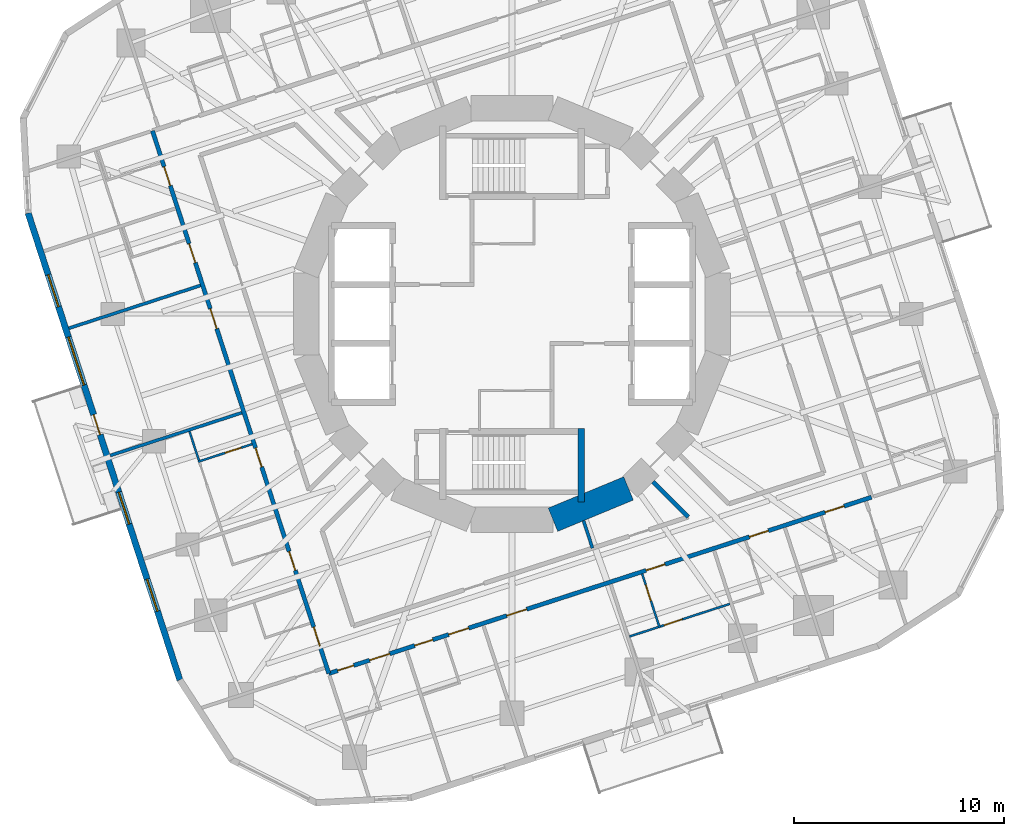
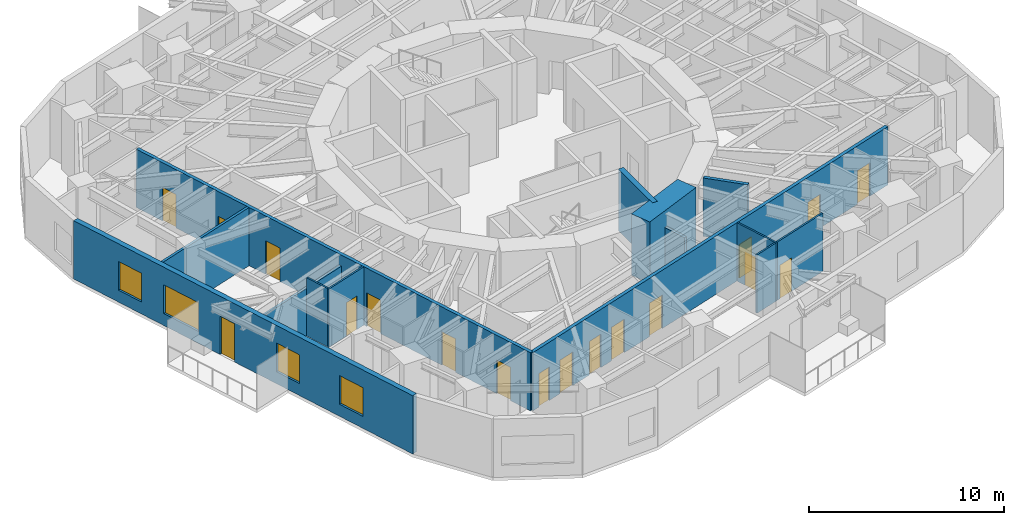
# One storey, part 5 of 12: 18 doors, 14 walls, 4 windows, 22 openings.
"""IFC4 building model written with IfcOpenShell, lengths in metres."""

from ifc_helpers import new_model, si_unit, direction, frame, frame_2d, origin, place, context, subcontext, project, spatial, rectangle, extrude, material, layer, layer_set, type_object, element, fill, save


model = new_model("IFC4")

# Units and contexts
model_context = context("Model", 3, precision=1e-05, world=origin(), true_north=direction((0.0, 1.0)))
body_context = subcontext(model_context, "Body", "Model", "MODEL_VIEW")
ifc_project = project(units=[si_unit("LENGTHUNIT", "METRE"), si_unit("AREAUNIT", "SQUARE_METRE"), si_unit("VOLUMEUNIT", "CUBIC_METRE"), si_unit("PLANEANGLEUNIT", "RADIAN"), si_unit("MASSUNIT", "GRAM", prefix="KILO")], contexts=[model_context])

# Site, building, storey
site_placement = place(None, origin())
site = spatial("IfcSite", under=ifc_project, at=site_placement, CompositionType="ELEMENT")
building_placement = place(site_placement, origin())
building = spatial("IfcBuilding", under=site, at=building_placement, Name="Nakasero Lantern House", CompositionType="ELEMENT")
storey_placement = place(building_placement, frame((0.0, 0.0, 153.35009765625)))
storey = spatial("IfcBuildingStorey", under=building, at=storey_placement, Name="L37", CompositionType="ELEMENT", Elevation=153.35009765625)

# Walls
ifc_material_1 = material(Name="Concrete C50/60", Category="concrete")
ifc_layer_1 = layer(ifc_material_1, 0.300048828125)
ifc_layer_set_1 = layer_set([ifc_layer_1], Name="Core inner wall 300")
wall_type_1 = type_object("IfcWallType", Name="Core inner wall 300", PredefinedType="SHEAR", material=ifc_layer_set_1)
wall_1_placement = place(storey_placement, frame((3.300048828125, -5.449951171875, 0.0), z_axis=(0.0, 0.0, 1.0), x_axis=(0.0, -1.0, 0.0)))
element("IfcWall", 1, at=wall_1_placement, inside=storey, type_object=wall_type_1, Name="Core inner wall L37 SSE", PredefinedType="SHEAR", context=body_context, shape_type="SweptSolid", body=[
    extrude(rectangle(XDim=3.5, YDim=0.300048828125, at=frame_2d((1.75, 0.0))), origin(), (0.0, 0.0, 1.0), 3.849853515625),
])
ifc_material_2 = material(Name="Concrete C50/60", Category="concrete")
ifc_layer_2 = layer(ifc_material_2, 1.199951171875)
ifc_layer_set_2 = layer_set([ifc_layer_2], Name="Core wall 1200")
wall_type_2 = type_object("IfcWallType", Name="Core wall 1200", PredefinedType="SHEAR", material=ifc_layer_set_2)
wall_2_placement = place(storey_placement, frame((1.950927734375, -9.807861328125, 0.0), z_axis=(0.0, 0.0, 1.0), x_axis=(0.923876507187, 0.382690736062, 0.0)))
element("IfcWall", 2, at=wall_2_placement, inside=storey, type_object=wall_type_2, Name="Core wall L37 facet 13", PredefinedType="SHEAR", context=body_context, shape_type="SweptSolid", body=[
    extrude(rectangle(XDim=3.90185546875, YDim=1.199951171875, at=frame_2d((1.950927734375, 0.0))), origin(), (0.0, 0.0, 1.0), 3.849853515625),
])

# Wall, openings, doors
ifc_material_3 = material(Name="Blockwork", Category="masonry")
ifc_layer_3 = layer(ifc_material_3, 0.199951171875)
ifc_layer_set_3 = layer_set([ifc_layer_3], Name="Corridor wall 200")
wall_type_3 = type_object("IfcWallType", Name="Corridor wall 200", PredefinedType="PARTITIONING", material=ifc_layer_set_3)
wall_3_placement = place(storey_placement, frame((-17.136962890625, 8.731689453125, 0.0), z_axis=(0.0, 0.0, 1.0), x_axis=(0.309018283835, -0.951056097323, 0.0)))
wall_3 = element("IfcWall", 3, at=wall_3_placement, inside=storey, type_object=wall_type_3, Name="Corridor wall L37 CW2", PredefinedType="PARTITIONING", context=body_context, shape_type="SweptSolid", body=[
    extrude(rectangle(XDim=27.199951171875, YDim=0.199951171875, at=frame_2d((13.60009765625, 0.0))), origin(), (0.0, 0.0, 1.0), 3.64990234375),
])
opening_1_placement = place(wall_3_placement, frame((1.800048828125, 0.0, 0.0)))
opening_1 = element("IfcOpeningElement", 4, at=opening_1_placement, cuts=wall_3, Name="Opening D01", PredefinedType="OPENING", context=body_context, shape_type="SweptSolid", body=[
    extrude(rectangle(XDim=0.949951171875, YDim=2.10009765625, at=frame_2d((0.47509765625, 1.050048828125))), frame((0.0, 0.119873046875, 0.0), z_axis=(0.0, -1.0, 0.0), x_axis=(1.0, 0.0, 0.0)), (0.0, 0.0, 1.0), 0.239990234375),
])
opening_2_placement = place(wall_3_placement, frame((5.659423828125, 0.0, 0.0)))
opening_2 = element("IfcOpeningElement", 5, at=opening_2_placement, cuts=wall_3, Name="Opening D01", PredefinedType="OPENING", context=body_context, shape_type="SweptSolid", body=[
    extrude(rectangle(XDim=0.949951171875, YDim=2.10009765625, at=frame_2d((0.47509765625, 1.050048828125))), frame((0.0, 0.119873046875, 0.0), z_axis=(0.0, -1.0, 0.0), x_axis=(1.0, 0.0, 0.0)), (0.0, 0.0, 1.0), 0.239990234375),
])
opening_3_placement = place(wall_3_placement, frame((15.89697265625, 0.0, 0.0)))
opening_3 = element("IfcOpeningElement", 6, at=opening_3_placement, cuts=wall_3, Name="Opening D01", PredefinedType="OPENING", context=body_context, shape_type="SweptSolid", body=[
    extrude(rectangle(XDim=0.949951171875, YDim=2.10009765625, at=frame_2d((0.47509765625, 1.050048828125))), frame((0.0, 0.119873046875, 0.0), z_axis=(0.0, -1.0, 0.0), x_axis=(1.0, 0.0, 0.0)), (0.0, 0.0, 1.0), 0.239990234375),
])
opening_4_placement = place(wall_3_placement, frame((21.078125, 0.0, 0.0)))
opening_4 = element("IfcOpeningElement", 7, at=opening_4_placement, cuts=wall_3, Name="Opening D01", PredefinedType="OPENING", context=body_context, shape_type="SweptSolid", body=[
    extrude(rectangle(XDim=0.949951171875, YDim=2.10009765625, at=frame_2d((0.47509765625, 1.050048828125))), frame((0.0, 0.119873046875, 0.0), z_axis=(0.0, -1.0, 0.0), x_axis=(1.0, 0.0, 0.0)), (0.0, 0.0, 1.0), 0.239990234375),
])
opening_5_placement = place(wall_3_placement, frame((24.872314453125, 0.0, 0.0)))
opening_5 = element("IfcOpeningElement", 8, at=opening_5_placement, cuts=wall_3, Name="Opening D01", PredefinedType="OPENING", context=body_context, shape_type="SweptSolid", body=[
    extrude(rectangle(XDim=0.949951171875, YDim=2.10009765625, at=frame_2d((0.47509765625, 1.050048828125))), frame((0.0, 0.119873046875, 0.0), z_axis=(0.0, -1.0, 0.0), x_axis=(1.0, 0.0, 0.0)), (0.0, 0.0, 1.0), 0.239990234375),
])
opening_6_placement = place(wall_3_placement, frame((8.9189453125, 0.0, 0.0)))
opening_6 = element("IfcOpeningElement", 9, at=opening_6_placement, cuts=wall_3, Name="Opening D03", PredefinedType="OPENING", context=body_context, shape_type="SweptSolid", body=[
    extrude(rectangle(XDim=1.0, YDim=2.10009765625, at=frame_2d((0.5, 1.050048828125))), frame((0.0, 0.119873046875, 0.0), z_axis=(0.0, -1.0, 0.0), x_axis=(1.0, 0.0, 0.0)), (0.0, 0.0, 1.0), 0.239990234375),
])
ifc_material_4 = material(Name="Timber C24", Category="wood")
door_type_1 = type_object("IfcDoorType", Name="Bedroom door FD30S 950", OperationType="SINGLE_SWING_LEFT", PredefinedType="DOOR", material=ifc_material_4)
door_1_placement = place(opening_1_placement, origin())
door_1 = element("IfcDoor", 10, at=door_1_placement, inside=storey, type_object=door_type_1, Name="Door L37 D2-00", OperationType="SINGLE_SWING_LEFT", OverallHeight=2.10009765625, OverallWidth=0.949951171875, PredefinedType="DOOR", context=body_context, shape_type="SweptSolid", body=[
    extrude(rectangle(XDim=0.949951171875, YDim=2.10009765625, at=frame_2d((0.47509765625, 1.050048828125))), frame((0.0, 0.02490234375, 0.0), z_axis=(0.0, -1.0, 0.0), x_axis=(1.0, 0.0, 0.0)), (0.0, 0.0, 1.0), 0.050048828125),
])
fill(opening_1, door_1)
door_2_placement = place(opening_2_placement, origin())
door_2 = element("IfcDoor", 11, at=door_2_placement, inside=storey, type_object=door_type_1, Name="Door L37 D2-01", OperationType="SINGLE_SWING_LEFT", OverallHeight=2.10009765625, OverallWidth=0.949951171875, PredefinedType="DOOR", context=body_context, shape_type="SweptSolid", body=[
    extrude(rectangle(XDim=0.949951171875, YDim=2.10009765625, at=frame_2d((0.47509765625, 1.050048828125))), frame((0.0, 0.02490234375, 0.0), z_axis=(0.0, -1.0, 0.0), x_axis=(1.0, 0.0, 0.0)), (0.0, 0.0, 1.0), 0.050048828125),
])
fill(opening_2, door_2)
door_3_placement = place(opening_3_placement, origin())
door_3 = element("IfcDoor", 12, at=door_3_placement, inside=storey, type_object=door_type_1, Name="Door L37 D2-04", OperationType="SINGLE_SWING_RIGHT", OverallHeight=2.10009765625, OverallWidth=0.949951171875, PredefinedType="DOOR", context=body_context, shape_type="SweptSolid", body=[
    extrude(rectangle(XDim=0.949951171875, YDim=2.10009765625, at=frame_2d((0.47509765625, 1.050048828125))), frame((0.0, 0.02490234375, 0.0), z_axis=(0.0, -1.0, 0.0), x_axis=(1.0, 0.0, 0.0)), (0.0, 0.0, 1.0), 0.050048828125),
])
fill(opening_3, door_3)
door_4_placement = place(opening_4_placement, origin())
door_4 = element("IfcDoor", 13, at=door_4_placement, inside=storey, type_object=door_type_1, Name="Door L37 D2-05", OperationType="SINGLE_SWING_RIGHT", OverallHeight=2.10009765625, OverallWidth=0.949951171875, PredefinedType="DOOR", context=body_context, shape_type="SweptSolid", body=[
    extrude(rectangle(XDim=0.949951171875, YDim=2.10009765625, at=frame_2d((0.47509765625, 1.050048828125))), frame((0.0, 0.02490234375, 0.0), z_axis=(0.0, -1.0, 0.0), x_axis=(1.0, 0.0, 0.0)), (0.0, 0.0, 1.0), 0.050048828125),
])
fill(opening_4, door_4)
door_5_placement = place(opening_5_placement, origin())
door_5 = element("IfcDoor", 14, at=door_5_placement, inside=storey, type_object=door_type_1, Name="Door L37 D2-06", OperationType="SINGLE_SWING_RIGHT", OverallHeight=2.10009765625, OverallWidth=0.949951171875, PredefinedType="DOOR", context=body_context, shape_type="SweptSolid", body=[
    extrude(rectangle(XDim=0.949951171875, YDim=2.10009765625, at=frame_2d((0.47509765625, 1.050048828125))), frame((0.0, 0.02490234375, 0.0), z_axis=(0.0, -1.0, 0.0), x_axis=(1.0, 0.0, 0.0)), (0.0, 0.0, 1.0), 0.050048828125),
])
fill(opening_5, door_5)
ifc_material_5 = material(Name="Timber C24", Category="wood")
door_type_2 = type_object("IfcDoorType", Name="Lounge door FD30S 1000", OperationType="SINGLE_SWING_LEFT", PredefinedType="DOOR", material=ifc_material_5)
door_6_placement = place(opening_6_placement, origin())
door_6 = element("IfcDoor", 15, at=door_6_placement, inside=storey, type_object=door_type_2, Name="Door L37 DK2", OperationType="SINGLE_SWING_LEFT", OverallHeight=2.10009765625, OverallWidth=1.0, PredefinedType="DOOR", context=body_context, shape_type="SweptSolid", body=[
    extrude(rectangle(XDim=1.0, YDim=2.10009765625, at=frame_2d((0.5, 1.050048828125))), frame((0.0, 0.02490234375, 0.0), z_axis=(0.0, -1.0, 0.0), x_axis=(1.0, 0.0, 0.0)), (0.0, 0.0, 1.0), 0.050048828125),
])
fill(opening_6, door_6)

wall_4_placement = place(storey_placement, frame((-8.731689453125, -17.136962890625, 0.0), z_axis=(0.0, 0.0, 1.0), x_axis=(0.951056097323, 0.309018283835, 0.0)))
wall_4 = element("IfcWall", 16, at=wall_4_placement, inside=storey, type_object=wall_type_3, Name="Corridor wall L37 CW3", PredefinedType="PARTITIONING", context=body_context, shape_type="SweptSolid", body=[
    extrude(rectangle(XDim=27.199951171875, YDim=0.199951171875, at=frame_2d((13.60009765625, 0.0))), origin(), (0.0, 0.0, 1.0), 3.64990234375),
])
opening_7_placement = place(wall_4_placement, frame((0.449951171875, 0.0, 0.0)))
opening_7 = element("IfcOpeningElement", 17, at=opening_7_placement, cuts=wall_4, Name="Opening D15", PredefinedType="OPENING", context=body_context, shape_type="SweptSolid", body=[
    extrude(rectangle(XDim=0.800048828125, YDim=2.10009765625, at=frame_2d((0.39990234375, 1.050048828125))), frame((0.0, 0.119873046875, 0.0), z_axis=(0.0, -1.0, 0.0), x_axis=(1.0, 0.0, 0.0)), (0.0, 0.0, 1.0), 0.239990234375),
])
opening_8_placement = place(wall_4_placement, frame((2.050048828125, 0.0, 0.0)))
opening_8 = element("IfcOpeningElement", 18, at=opening_8_placement, cuts=wall_4, Name="Opening D07", PredefinedType="OPENING", context=body_context, shape_type="SweptSolid", body=[
    extrude(rectangle(XDim=1.0, YDim=2.10009765625, at=frame_2d((0.5, 1.050048828125))), frame((0.0, 0.119873046875, 0.0), z_axis=(0.0, -1.0, 0.0), x_axis=(1.0, 0.0, 0.0)), (0.0, 0.0, 1.0), 0.239990234375),
])
opening_9_placement = place(wall_4_placement, frame((4.3095703125, 0.0, 0.0)))
opening_9 = element("IfcOpeningElement", 19, at=opening_9_placement, cuts=wall_4, Name="Opening D16", PredefinedType="OPENING", context=body_context, shape_type="SweptSolid", body=[
    extrude(rectangle(XDim=0.89990234375, YDim=2.10009765625, at=frame_2d((0.449951171875, 1.050048828125))), frame((0.0, 0.119873046875, 0.0), z_axis=(0.0, -1.0, 0.0), x_axis=(1.0, 0.0, 0.0)), (0.0, 0.0, 1.0), 0.239990234375),
])
opening_10_placement = place(wall_4_placement, frame((6.009521484375, 0.0, 0.0)))
opening_10 = element("IfcOpeningElement", 20, at=opening_10_placement, cuts=wall_4, Name="Opening D07", PredefinedType="OPENING", context=body_context, shape_type="SweptSolid", body=[
    extrude(rectangle(XDim=1.0, YDim=2.10009765625, at=frame_2d((0.5, 1.050048828125))), frame((0.0, 0.119873046875, 0.0), z_axis=(0.0, -1.0, 0.0), x_axis=(1.0, 0.0, 0.0)), (0.0, 0.0, 1.0), 0.239990234375),
])
opening_11_placement = place(wall_4_placement, frame((15.89697265625, 0.0, 0.0)))
opening_11 = element("IfcOpeningElement", 21, at=opening_11_placement, cuts=wall_4, Name="Opening D01", PredefinedType="OPENING", context=body_context, shape_type="SweptSolid", body=[
    extrude(rectangle(XDim=0.949951171875, YDim=2.10009765625, at=frame_2d((0.47509765625, 1.050048828125))), frame((0.0, 0.119873046875, 0.0), z_axis=(0.0, -1.0, 0.0), x_axis=(1.0, 0.0, 0.0)), (0.0, 0.0, 1.0), 0.239990234375),
])
opening_12_placement = place(wall_4_placement, frame((21.078125, 0.0, 0.0)))
opening_12 = element("IfcOpeningElement", 22, at=opening_12_placement, cuts=wall_4, Name="Opening D01", PredefinedType="OPENING", context=body_context, shape_type="SweptSolid", body=[
    extrude(rectangle(XDim=0.949951171875, YDim=2.10009765625, at=frame_2d((0.47509765625, 1.050048828125))), frame((0.0, 0.119873046875, 0.0), z_axis=(0.0, -1.0, 0.0), x_axis=(1.0, 0.0, 0.0)), (0.0, 0.0, 1.0), 0.239990234375),
])
opening_13_placement = place(wall_4_placement, frame((24.872314453125, 0.0, 0.0)))
opening_13 = element("IfcOpeningElement", 23, at=opening_13_placement, cuts=wall_4, Name="Opening D01", PredefinedType="OPENING", context=body_context, shape_type="SweptSolid", body=[
    extrude(rectangle(XDim=0.949951171875, YDim=2.10009765625, at=frame_2d((0.47509765625, 1.050048828125))), frame((0.0, 0.119873046875, 0.0), z_axis=(0.0, -1.0, 0.0), x_axis=(1.0, 0.0, 0.0)), (0.0, 0.0, 1.0), 0.239990234375),
])
opening_14_placement = place(wall_4_placement, frame((8.9189453125, 0.0, 0.0)))
opening_14 = element("IfcOpeningElement", 24, at=opening_14_placement, cuts=wall_4, Name="Opening D03", PredefinedType="OPENING", context=body_context, shape_type="SweptSolid", body=[
    extrude(rectangle(XDim=1.0, YDim=2.10009765625, at=frame_2d((0.5, 1.050048828125))), frame((0.0, 0.119873046875, 0.0), z_axis=(0.0, -1.0, 0.0), x_axis=(1.0, 0.0, 0.0)), (0.0, 0.0, 1.0), 0.239990234375),
])
ifc_material_6 = material(Name="Timber C24", Category="wood")
door_type_3 = type_object("IfcDoorType", Name="Accessible WC door 900", OperationType="SINGLE_SWING_RIGHT", PredefinedType="DOOR", material=ifc_material_6)
door_7_placement = place(opening_9_placement, origin())
door_7 = element("IfcDoor", 25, at=door_7_placement, inside=storey, type_object=door_type_3, Name="Door L37 DS3-01", OperationType="SINGLE_SWING_LEFT", OverallHeight=2.10009765625, OverallWidth=0.89990234375, PredefinedType="DOOR", context=body_context, shape_type="SweptSolid", body=[
    extrude(rectangle(XDim=0.89990234375, YDim=2.10009765625, at=frame_2d((0.449951171875, 1.050048828125))), frame((0.0, 0.02490234375, 0.0), z_axis=(0.0, -1.0, 0.0), x_axis=(1.0, 0.0, 0.0)), (0.0, 0.0, 1.0), 0.050048828125),
])
fill(opening_9, door_7)
door_8_placement = place(opening_11_placement, origin())
door_8 = element("IfcDoor", 26, at=door_8_placement, inside=storey, type_object=door_type_1, Name="Door L37 D3-04", OperationType="SINGLE_SWING_RIGHT", OverallHeight=2.10009765625, OverallWidth=0.949951171875, PredefinedType="DOOR", context=body_context, shape_type="SweptSolid", body=[
    extrude(rectangle(XDim=0.949951171875, YDim=2.10009765625, at=frame_2d((0.47509765625, 1.050048828125))), frame((0.0, 0.02490234375, 0.0), z_axis=(0.0, -1.0, 0.0), x_axis=(1.0, 0.0, 0.0)), (0.0, 0.0, 1.0), 0.050048828125),
])
fill(opening_11, door_8)
door_9_placement = place(opening_12_placement, origin())
door_9 = element("IfcDoor", 27, at=door_9_placement, inside=storey, type_object=door_type_1, Name="Door L37 D3-05", OperationType="SINGLE_SWING_RIGHT", OverallHeight=2.10009765625, OverallWidth=0.949951171875, PredefinedType="DOOR", context=body_context, shape_type="SweptSolid", body=[
    extrude(rectangle(XDim=0.949951171875, YDim=2.10009765625, at=frame_2d((0.47509765625, 1.050048828125))), frame((0.0, 0.02490234375, 0.0), z_axis=(0.0, -1.0, 0.0), x_axis=(1.0, 0.0, 0.0)), (0.0, 0.0, 1.0), 0.050048828125),
])
fill(opening_12, door_9)
door_10_placement = place(opening_13_placement, origin())
door_10 = element("IfcDoor", 28, at=door_10_placement, inside=storey, type_object=door_type_1, Name="Door L37 D3-06", OperationType="SINGLE_SWING_RIGHT", OverallHeight=2.10009765625, OverallWidth=0.949951171875, PredefinedType="DOOR", context=body_context, shape_type="SweptSolid", body=[
    extrude(rectangle(XDim=0.949951171875, YDim=2.10009765625, at=frame_2d((0.47509765625, 1.050048828125))), frame((0.0, 0.02490234375, 0.0), z_axis=(0.0, -1.0, 0.0), x_axis=(1.0, 0.0, 0.0)), (0.0, 0.0, 1.0), 0.050048828125),
])
fill(opening_13, door_10)
ifc_material_7 = material(Name="Timber C24", Category="wood")
door_type_4 = type_object("IfcDoorType", Name="Cleaner's store door FD30S 800", OperationType="SINGLE_SWING_LEFT", PredefinedType="DOOR", material=ifc_material_7)
door_11_placement = place(opening_7_placement, origin())
door_11 = element("IfcDoor", 29, at=door_11_placement, inside=storey, type_object=door_type_4, Name="Door L37 DS3-00", OperationType="SINGLE_SWING_LEFT", OverallHeight=2.10009765625, OverallWidth=0.800048828125, PredefinedType="DOOR", context=body_context, shape_type="SweptSolid", body=[
    extrude(rectangle(XDim=0.800048828125, YDim=2.10009765625, at=frame_2d((0.39990234375, 1.050048828125))), frame((0.0, 0.02490234375, 0.0), z_axis=(0.0, -1.0, 0.0), x_axis=(1.0, 0.0, 0.0)), (0.0, 0.0, 1.0), 0.050048828125),
])
fill(opening_7, door_11)
door_12_placement = place(opening_14_placement, origin())
door_12 = element("IfcDoor", 30, at=door_12_placement, inside=storey, type_object=door_type_2, Name="Door L37 DK3", OperationType="SINGLE_SWING_LEFT", OverallHeight=2.10009765625, OverallWidth=1.0, PredefinedType="DOOR", context=body_context, shape_type="SweptSolid", body=[
    extrude(rectangle(XDim=1.0, YDim=2.10009765625, at=frame_2d((0.5, 1.050048828125))), frame((0.0, 0.02490234375, 0.0), z_axis=(0.0, -1.0, 0.0), x_axis=(1.0, 0.0, 0.0)), (0.0, 0.0, 1.0), 0.050048828125),
])
fill(opening_14, door_12)
ifc_material_8 = material(Name="Timber C24", Category="wood")
door_type_5 = type_object("IfcDoorType", Name="Room door FD30S 1000", OperationType="SINGLE_SWING_LEFT", PredefinedType="DOOR", material=ifc_material_8)
door_13_placement = place(opening_8_placement, origin())
door_13 = element("IfcDoor", 31, at=door_13_placement, inside=storey, type_object=door_type_5, Name="Door L37 D3-00", OperationType="SINGLE_SWING_LEFT", OverallHeight=2.10009765625, OverallWidth=1.0, PredefinedType="DOOR", context=body_context, shape_type="SweptSolid", body=[
    extrude(rectangle(XDim=1.0, YDim=2.10009765625, at=frame_2d((0.5, 1.050048828125))), frame((0.0, 0.02490234375, 0.0), z_axis=(0.0, -1.0, 0.0), x_axis=(1.0, 0.0, 0.0)), (0.0, 0.0, 1.0), 0.050048828125),
])
fill(opening_8, door_13)
door_14_placement = place(opening_10_placement, origin())
door_14 = element("IfcDoor", 32, at=door_14_placement, inside=storey, type_object=door_type_5, Name="Door L37 D3-01", OperationType="SINGLE_SWING_LEFT", OverallHeight=2.10009765625, OverallWidth=1.0, PredefinedType="DOOR", context=body_context, shape_type="SweptSolid", body=[
    extrude(rectangle(XDim=1.0, YDim=2.10009765625, at=frame_2d((0.5, 1.050048828125))), frame((0.0, 0.02490234375, 0.0), z_axis=(0.0, -1.0, 0.0), x_axis=(1.0, 0.0, 0.0)), (0.0, 0.0, 1.0), 0.050048828125),
])
fill(opening_10, door_14)

# Wall
wall_5_placement = place(storey_placement, frame((6.72314453125, -7.995849609375, 0.0), z_axis=(0.0, 0.0, 1.0), x_axis=(0.707055424337, -0.707158134306, 0.0)))
element("IfcWall", 33, at=wall_5_placement, inside=storey, type_object=wall_type_3, Name="Corridor wall L37 PS14b", PredefinedType="PARTITIONING", context=body_context, shape_type="SweptSolid", body=[
    extrude(rectangle(XDim=2.376953125, YDim=0.199951171875, at=frame_2d((1.1884765625, 0.0))), origin(), (0.0, 0.0, 1.0), 3.64990234375),
])

# Wall, opening, door
ifc_material_9 = material(Name="Blockwork", Category="masonry")
ifc_layer_4 = layer(ifc_material_9, 0.10009765625)
ifc_layer_set_4 = layer_set([ifc_layer_4], Name="En-suite wall 100")
wall_type_4 = type_object("IfcWallType", Name="En-suite wall 100", PredefinedType="PARTITIONING", material=ifc_layer_set_4)
wall_6_placement = place(storey_placement, frame((-12.38916015625, -6.2041015625, 0.0), z_axis=(0.0, 0.0, 1.0), x_axis=(-0.951043371037, -0.309057448393, 0.0)))
wall_6 = element("IfcWall", 34, at=wall_6_placement, inside=storey, type_object=wall_type_4, Name="En-suite wall L37 ES2-04", PredefinedType="PARTITIONING", context=body_context, shape_type="SweptSolid", body=[
    extrude(rectangle(XDim=2.699951171875, YDim=0.10009765625, at=frame_2d((1.35009765625, 0.0))), origin(), (0.0, 0.0, 1.0), 3.64990234375),
])
opening_15_placement = place(wall_6_placement, frame((0.550048828125, 0.0, 0.0)))
opening_15 = element("IfcOpeningElement", 35, at=opening_15_placement, cuts=wall_6, Name="Opening D02", PredefinedType="OPENING", context=body_context, shape_type="SweptSolid", body=[
    extrude(rectangle(XDim=0.800048828125, YDim=2.10009765625, at=frame_2d((0.39990234375, 1.050048828125))), frame((0.0, 0.070068359375, 0.0), z_axis=(0.0, -1.0, 0.0), x_axis=(1.0, 0.0, 0.0)), (0.0, 0.0, 1.0), 0.14013671875),
])
ifc_material_10 = material(Name="Timber C24", Category="wood")
door_type_6 = type_object("IfcDoorType", Name="En-suite door 800", OperationType="SINGLE_SWING_RIGHT", PredefinedType="DOOR", material=ifc_material_10)
door_15_placement = place(opening_15_placement, origin())
door_15 = element("IfcDoor", 36, at=door_15_placement, inside=storey, type_object=door_type_6, Name="Door L37 DE2-04", OperationType="SINGLE_SWING_LEFT", OverallHeight=2.10009765625, OverallWidth=0.800048828125, PredefinedType="DOOR", context=body_context, shape_type="SweptSolid", body=[
    extrude(rectangle(XDim=0.800048828125, YDim=2.10009765625, at=frame_2d((0.39990234375, 1.050048828125))), frame((0.0, 0.02490234375, 0.0), z_axis=(0.0, -1.0, 0.0), x_axis=(1.0, 0.0, 0.0)), (0.0, 0.0, 1.0), 0.050048828125),
])
fill(opening_15, door_15)

# Wall
wall_7_placement = place(storey_placement, frame((-15.373046875, -5.596435546875, 0.0), z_axis=(0.0, 0.0, 1.0), x_axis=(0.309097492581, -0.951030357076, 0.0)))
element("IfcWall", 37, at=wall_7_placement, inside=storey, type_object=wall_type_4, Name="En-suite wall L37 EE2-04", PredefinedType="PARTITIONING", context=body_context, shape_type="SweptSolid", body=[
    extrude(rectangle(XDim=1.4501953125, YDim=0.10009765625, at=frame_2d((0.72509765625, 0.0))), origin(), (0.0, 0.0, 1.0), 3.64990234375),
])

# Wall, opening, door
wall_8_placement = place(storey_placement, frame((6.2041015625, -12.38916015625, 0.0), z_axis=(0.0, 0.0, 1.0), x_axis=(0.309057448393, -0.951043371037, 0.0)))
wall_8 = element("IfcWall", 38, at=wall_8_placement, inside=storey, type_object=wall_type_4, Name="En-suite wall L37 ES3-04", PredefinedType="PARTITIONING", context=body_context, shape_type="SweptSolid", body=[
    extrude(rectangle(XDim=2.699951171875, YDim=0.10009765625, at=frame_2d((1.35009765625, 0.0))), origin(), (0.0, 0.0, 1.0), 3.64990234375),
])
opening_16_placement = place(wall_8_placement, frame((0.550048828125, 0.0, 0.0)))
opening_16 = element("IfcOpeningElement", 39, at=opening_16_placement, cuts=wall_8, Name="Opening D02", PredefinedType="OPENING", context=body_context, shape_type="SweptSolid", body=[
    extrude(rectangle(XDim=0.800048828125, YDim=2.10009765625, at=frame_2d((0.39990234375, 1.050048828125))), frame((0.0, 0.070068359375, 0.0), z_axis=(0.0, -1.0, 0.0), x_axis=(1.0, 0.0, 0.0)), (0.0, 0.0, 1.0), 0.14013671875),
])
door_16_placement = place(opening_16_placement, origin())
door_16 = element("IfcDoor", 40, at=door_16_placement, inside=storey, type_object=door_type_6, Name="Door L37 DE3-04", OperationType="SINGLE_SWING_LEFT", OverallHeight=2.10009765625, OverallWidth=0.800048828125, PredefinedType="DOOR", context=body_context, shape_type="SweptSolid", body=[
    extrude(rectangle(XDim=0.800048828125, YDim=2.10009765625, at=frame_2d((0.39990234375, 1.050048828125))), frame((0.0, 0.02490234375, 0.0), z_axis=(0.0, -1.0, 0.0), x_axis=(1.0, 0.0, 0.0)), (0.0, 0.0, 1.0), 0.050048828125),
])
fill(opening_16, door_16)

# Wall
wall_9_placement = place(storey_placement, frame((5.596435546875, -15.373046875, 0.0), z_axis=(0.0, 0.0, 1.0), x_axis=(0.951030357076, 0.309097492581, 0.0)))
element("IfcWall", 41, at=wall_9_placement, inside=storey, type_object=wall_type_4, Name="En-suite wall L37 EE3-04", PredefinedType="PARTITIONING", context=body_context, shape_type="SweptSolid", body=[
    extrude(rectangle(XDim=1.4501953125, YDim=0.10009765625, at=frame_2d((0.72509765625, 0.0))), origin(), (0.0, 0.0, 1.0), 3.64990234375),
])

# Wall, opening, door
wall_10_placement = place(storey_placement, frame((7.070556640625, -14.89404296875, 0.0), z_axis=(0.0, 0.0, 1.0), x_axis=(0.951061380458, 0.309002023619, 0.0)))
wall_10 = element("IfcWall", 42, at=wall_10_placement, inside=storey, type_object=wall_type_4, Name="En-suite wall L37 EL3-04", PredefinedType="PARTITIONING", context=body_context, shape_type="SweptSolid", body=[
    extrude(rectangle(XDim=3.481201171875, YDim=0.10009765625, at=frame_2d((1.74072265625, 0.0))), origin(), (0.0, 0.0, 1.0), 3.64990234375),
])
opening_17_placement = place(wall_10_placement, frame((0.199951171875, 0.0, 0.0)))
opening_17 = element("IfcOpeningElement", 43, at=opening_17_placement, cuts=wall_10, Name="Opening D17", PredefinedType="OPENING", context=body_context, shape_type="SweptSolid", body=[
    extrude(rectangle(XDim=0.89990234375, YDim=2.10009765625, at=frame_2d((0.449951171875, 1.050048828125))), frame((0.0, 0.070068359375, 0.0), z_axis=(0.0, -1.0, 0.0), x_axis=(1.0, 0.0, 0.0)), (0.0, 0.0, 1.0), 0.14013671875),
])
ifc_material_11 = material(Name="Timber C24", Category="wood")
door_type_7 = type_object("IfcDoorType", Name="Bedroom door FD30S 900", OperationType="SINGLE_SWING_LEFT", PredefinedType="DOOR", material=ifc_material_11)
door_17_placement = place(opening_17_placement, origin())
door_17 = element("IfcDoor", 44, at=door_17_placement, inside=storey, type_object=door_type_7, Name="Door L37 DL3-04", OperationType="SINGLE_SWING_LEFT", OverallHeight=2.10009765625, OverallWidth=0.89990234375, PredefinedType="DOOR", context=body_context, shape_type="SweptSolid", body=[
    extrude(rectangle(XDim=0.89990234375, YDim=2.10009765625, at=frame_2d((0.449951171875, 1.050048828125))), frame((0.0, 0.02490234375, 0.0), z_axis=(0.0, -1.0, 0.0), x_axis=(1.0, 0.0, 0.0)), (0.0, 0.0, 1.0), 0.050048828125),
])
fill(opening_17, door_17)

# Wall, openings, door, windows
ifc_material_12 = material(Name="Aluminium rainscreen on blockwork", Category="masonry")
ifc_layer_5 = layer(ifc_material_12, 0.300048828125)
ifc_layer_set_5 = layer_set([ifc_layer_5], Name="Facade wall 300")
wall_type_5 = type_object("IfcWallType", Name="Facade wall 300", PredefinedType="SOLIDWALL", material=ifc_layer_set_5)
wall_11_placement = place(storey_placement, frame((-23.064697265625, 4.807861328125, 0.0), z_axis=(0.0, 0.0, 1.0), x_axis=(0.30902591324, -0.951053618334, 0.0)))
wall_11 = element("IfcWall", 45, at=wall_11_placement, inside=storey, type_object=wall_type_5, Name="Facade wall L37 FW2S", PredefinedType="SOLIDWALL", context=body_context, shape_type="SweptSolid", body=[
    extrude(rectangle(XDim=23.39990234375, YDim=0.300048828125, at=frame_2d((11.699951171875, 0.0))), origin(), (0.0, 0.0, 1.0), 3.64990234375),
])
opening_18_placement = place(wall_11_placement, frame((3.089111328125, 0.0, 0.75)))
opening_18 = element("IfcOpeningElement", 46, at=opening_18_placement, cuts=wall_11, Name="Opening W01", PredefinedType="OPENING", context=body_context, shape_type="SweptSolid", body=[
    extrude(rectangle(XDim=1.60009765625, YDim=1.800048828125, at=frame_2d((0.800048828125, 0.89990234375))), frame((0.0, 0.169921875, 0.0), z_axis=(0.0, -1.0, 0.0), x_axis=(1.0, 0.0, 0.0)), (0.0, 0.0, 1.0), 0.340087890625),
])
opening_19_placement = place(wall_11_placement, frame((13.987548828125, 0.0, 0.75)))
opening_19 = element("IfcOpeningElement", 47, at=opening_19_placement, cuts=wall_11, Name="Opening W01", PredefinedType="OPENING", context=body_context, shape_type="SweptSolid", body=[
    extrude(rectangle(XDim=1.60009765625, YDim=1.800048828125, at=frame_2d((0.800048828125, 0.89990234375))), frame((0.0, 0.169921875, 0.0), z_axis=(0.0, -1.0, 0.0), x_axis=(1.0, 0.0, 0.0)), (0.0, 0.0, 1.0), 0.340087890625),
])
opening_20_placement = place(wall_11_placement, frame((18.350341796875, 0.0, 0.75)))
opening_20 = element("IfcOpeningElement", 48, at=opening_20_placement, cuts=wall_11, Name="Opening W01", PredefinedType="OPENING", context=body_context, shape_type="SweptSolid", body=[
    extrude(rectangle(XDim=1.60009765625, YDim=1.800048828125, at=frame_2d((0.800048828125, 0.89990234375))), frame((0.0, 0.169921875, 0.0), z_axis=(0.0, -1.0, 0.0), x_axis=(1.0, 0.0, 0.0)), (0.0, 0.0, 1.0), 0.340087890625),
])
opening_21_placement = place(wall_11_placement, frame((6.21337890625, 0.0, 0.75)))
opening_21 = element("IfcOpeningElement", 49, at=opening_21_placement, cuts=wall_11, Name="Opening W03", PredefinedType="OPENING", context=body_context, shape_type="SweptSolid", body=[
    extrude(rectangle(XDim=2.39990234375, YDim=1.800048828125, at=frame_2d((1.199951171875, 0.89990234375))), frame((0.0, 0.169921875, 0.0), z_axis=(0.0, -1.0, 0.0), x_axis=(1.0, 0.0, 0.0)), (0.0, 0.0, 1.0), 0.340087890625),
])
opening_22_placement = place(wall_11_placement, frame((10.1025390625, 0.0, 0.0)))
opening_22 = element("IfcOpeningElement", 50, at=opening_22_placement, cuts=wall_11, Name="Opening D04", PredefinedType="OPENING", context=body_context, shape_type="SweptSolid", body=[
    extrude(rectangle(XDim=1.0, YDim=2.39990234375, at=frame_2d((0.5, 1.199951171875))), frame((0.0, 0.169921875, 0.0), z_axis=(0.0, -1.0, 0.0), x_axis=(1.0, 0.0, 0.0)), (0.0, 0.0, 1.0), 0.340087890625),
])
ifc_material_13 = material(Name="Aluminium 6063-T6 and glass", Category="aluminium")
door_type_8 = type_object("IfcDoorType", Name="Balcony door 1000x2400", OperationType="SINGLE_SWING_RIGHT", PredefinedType="DOOR", material=ifc_material_13)
door_18_placement = place(opening_22_placement, origin())
door_18 = element("IfcDoor", 51, at=door_18_placement, inside=storey, type_object=door_type_8, Name="Balcony door L37 DB2", OperationType="SINGLE_SWING_RIGHT", OverallHeight=2.39990234375, OverallWidth=1.0, PredefinedType="DOOR", context=body_context, shape_type="SweptSolid", body=[
    extrude(rectangle(XDim=1.0, YDim=2.39990234375, at=frame_2d((0.5, 1.199951171875))), frame((0.0, 0.02490234375, 0.0), z_axis=(0.0, -1.0, 0.0), x_axis=(1.0, 0.0, 0.0)), (0.0, 0.0, 1.0), 0.050048828125),
])
fill(opening_22, door_18)
ifc_material_14 = material(Name="Aluminium 6063-T6 and glass", Category="aluminium")
window_type_1 = type_object("IfcWindowType", Name="Bedroom window 1600x1800", PartitioningType="SINGLE_PANEL", PredefinedType="WINDOW", material=ifc_material_14)
window_1_placement = place(opening_18_placement, origin())
window_1 = element("IfcWindow", 52, at=window_1_placement, inside=storey, type_object=window_type_1, Name="Window L37 WN2-01", OverallHeight=1.800048828125, OverallWidth=1.60009765625, PartitioningType="SINGLE_PANEL", PredefinedType="WINDOW", context=body_context, shape_type="SweptSolid", body=[
    extrude(rectangle(XDim=1.60009765625, YDim=1.800048828125, at=frame_2d((0.800048828125, 0.89990234375))), frame((0.0, 0.030029296875, 0.0), z_axis=(0.0, -1.0, 0.0), x_axis=(1.0, 0.0, 0.0)), (0.0, 0.0, 1.0), 0.06005859375),
])
fill(opening_18, window_1)
window_2_placement = place(opening_19_placement, origin())
window_2 = element("IfcWindow", 53, at=window_2_placement, inside=storey, type_object=window_type_1, Name="Window L37 WN2-04", OverallHeight=1.800048828125, OverallWidth=1.60009765625, PartitioningType="SINGLE_PANEL", PredefinedType="WINDOW", context=body_context, shape_type="SweptSolid", body=[
    extrude(rectangle(XDim=1.60009765625, YDim=1.800048828125, at=frame_2d((0.800048828125, 0.89990234375))), frame((0.0, 0.030029296875, 0.0), z_axis=(0.0, -1.0, 0.0), x_axis=(1.0, 0.0, 0.0)), (0.0, 0.0, 1.0), 0.06005859375),
])
fill(opening_19, window_2)
window_3_placement = place(opening_20_placement, origin())
window_3 = element("IfcWindow", 54, at=window_3_placement, inside=storey, type_object=window_type_1, Name="Window L37 WN2-05", OverallHeight=1.800048828125, OverallWidth=1.60009765625, PartitioningType="SINGLE_PANEL", PredefinedType="WINDOW", context=body_context, shape_type="SweptSolid", body=[
    extrude(rectangle(XDim=1.60009765625, YDim=1.800048828125, at=frame_2d((0.800048828125, 0.89990234375))), frame((0.0, 0.030029296875, 0.0), z_axis=(0.0, -1.0, 0.0), x_axis=(1.0, 0.0, 0.0)), (0.0, 0.0, 1.0), 0.06005859375),
])
fill(opening_20, window_3)
ifc_material_15 = material(Name="Aluminium 6063-T6 and glass", Category="aluminium")
window_type_2 = type_object("IfcWindowType", Name="Lounge window 2400x1800", PartitioningType="SINGLE_PANEL", PredefinedType="WINDOW", material=ifc_material_15)
window_4_placement = place(opening_21_placement, origin())
window_4 = element("IfcWindow", 55, at=window_4_placement, inside=storey, type_object=window_type_2, Name="Window L37 WK2", OverallHeight=1.800048828125, OverallWidth=2.39990234375, PartitioningType="SINGLE_PANEL", PredefinedType="WINDOW", context=body_context, shape_type="SweptSolid", body=[
    extrude(rectangle(XDim=2.39990234375, YDim=1.800048828125, at=frame_2d((1.199951171875, 0.89990234375))), frame((0.0, 0.030029296875, 0.0), z_axis=(0.0, -1.0, 0.0), x_axis=(1.0, 0.0, 0.0)), (0.0, 0.0, 1.0), 0.06005859375),
])
fill(opening_21, window_4)

# Walls
ifc_material_16 = material(Name="Blockwork", Category="masonry")
ifc_layer_6 = layer(ifc_material_16, 0.14990234375)
ifc_layer_set_6 = layer_set([ifc_layer_6], Name="Party wall 150")
wall_type_6 = type_object("IfcWallType", Name="Party wall 150", PredefinedType="PARTITIONING", material=ifc_layer_set_6)
wall_12_placement = place(storey_placement, frame((-14.846923828125, 1.359619140625, 0.0), z_axis=(0.0, 0.0, 1.0), x_axis=(-0.951053095941, -0.309027520945, 0.0)))
element("IfcWall", 56, at=wall_12_placement, inside=storey, type_object=wall_type_6, Name="Party wall L37 PW2-02", PredefinedType="PARTITIONING", context=body_context, shape_type="SweptSolid", body=[
    extrude(rectangle(XDim=6.599853515625, YDim=0.14990234375, at=frame_2d((3.2998046875, 0.0))), origin(), (0.0, 0.0, 1.0), 3.64990234375),
])
wall_13_placement = place(storey_placement, frame((-12.8759765625, -4.706298828125, 0.0), z_axis=(0.0, 0.0, 1.0), x_axis=(-0.951053095941, -0.309027520945, 0.0)))
element("IfcWall", 57, at=wall_13_placement, inside=storey, type_object=wall_type_6, Name="Party wall L37 PW2-04", PredefinedType="PARTITIONING", context=body_context, shape_type="SweptSolid", body=[
    extrude(rectangle(XDim=6.599853515625, YDim=0.14990234375, at=frame_2d((3.2998046875, 0.0))), origin(), (0.0, 0.0, 1.0), 2.96630859375),
])
wall_14_placement = place(storey_placement, frame((3.836669921875, -11.16064453125, 0.0), z_axis=(0.0, 0.0, 1.0), x_axis=(-0.309138236978, 0.951017113641, 0.0)))
element("IfcWall", 58, at=wall_14_placement, inside=storey, type_object=wall_type_6, Name="Party wall L37 IM3", PredefinedType="PARTITIONING", context=body_context, shape_type="SweptSolid", body=[
    extrude(rectangle(XDim=1.375732421875, YDim=0.14990234375, at=frame_2d((0.68798828125, 0.0))), origin(), (0.0, 0.0, 1.0), 2.80908203125),
])

save(model, "model.ifc")
